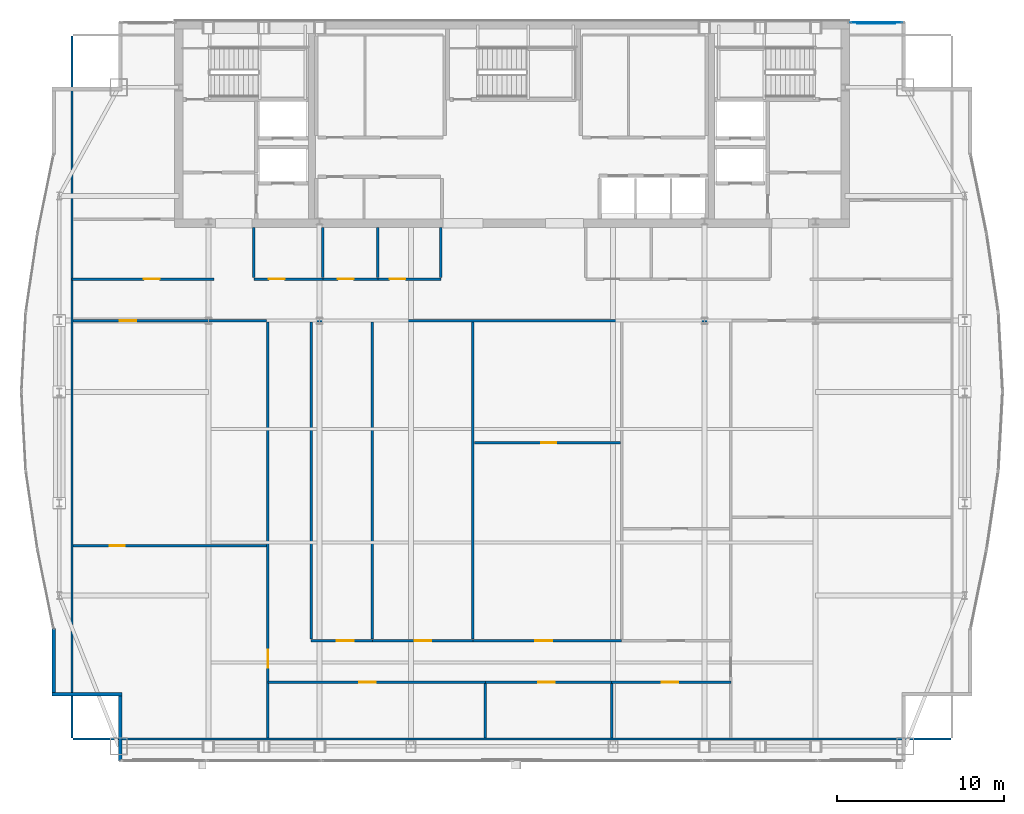
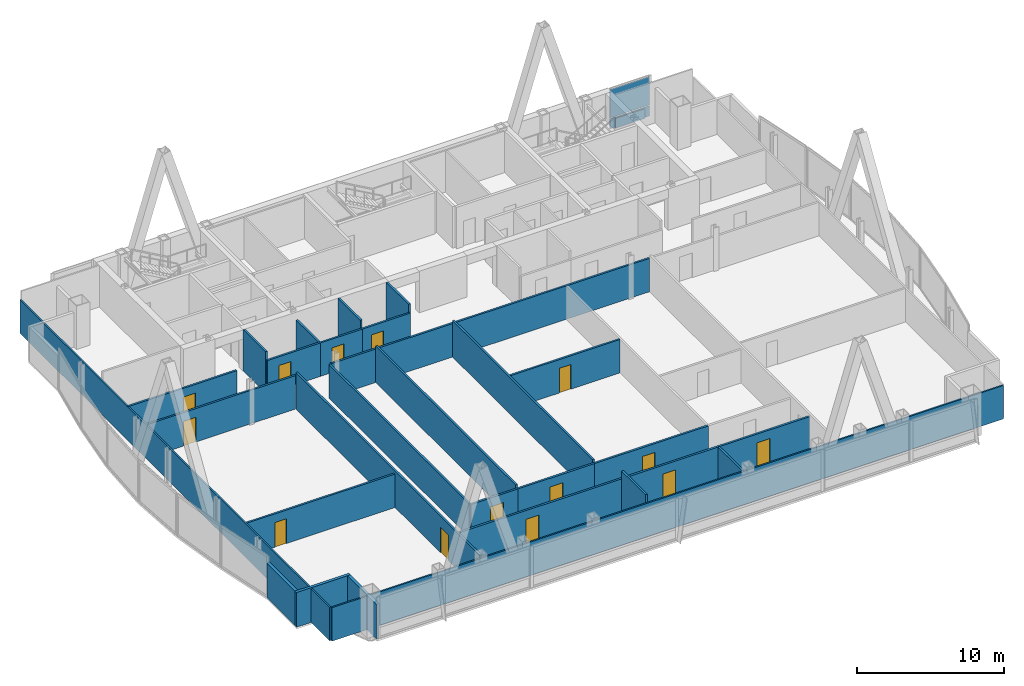
# One storey, part 26 of 31: 29 walls, 14 doors, 3 plates, 14 openings, 1 element without a shape of its own.
"""IFC4 building model written with IfcOpenShell, lengths in metres."""

from ifc_helpers import new_model, si_unit, direction, frame, frame_2d, origin, origin_2d, place, context, subcontext, project, spatial, rectangle, extrude, material, layer, layer_set, type_object, element, fill, aggregate, save


model = new_model("IFC4")

# Units and contexts
model_context = context("Model", 3, precision=1e-05, world=origin(), true_north=direction((0.0, 1.0)))
body_context = subcontext(model_context, "Body", "Model", "MODEL_VIEW")
ifc_project = project(units=[si_unit("LENGTHUNIT", "METRE"), si_unit("AREAUNIT", "SQUARE_METRE"), si_unit("VOLUMEUNIT", "CUBIC_METRE"), si_unit("PLANEANGLEUNIT", "RADIAN"), si_unit("MASSUNIT", "GRAM", prefix="KILO")], contexts=[model_context])

# Site, building, storey
site_placement = place(None, origin())
site = spatial("IfcSite", under=ifc_project, at=site_placement, CompositionType="ELEMENT")
building_placement = place(site_placement, origin())
building = spatial("IfcBuilding", under=site, at=building_placement, Name="Khoronbel Lancet Exchange", CompositionType="ELEMENT")
storey_placement = place(building_placement, frame((0.0, 0.0, 273.39990234375)))
storey = spatial("IfcBuildingStorey", under=building, at=storey_placement, Name="L70", CompositionType="ELEMENT", Elevation=273.39990234375)

# Curtain wall, plates
ifc_material_1 = material(Name="Low-E Solar Control Insulating Glass", Category="glass")
curtain_wall_type = type_object("IfcCurtainWallType", Name="CW-3", PredefinedType="NOTDEFINED", material=ifc_material_1)
curtain_wall_placement = place(storey_placement, origin())
curtain_wall = element("IfcCurtainWall", 1, at=curtain_wall_placement, inside=storey, type_object=curtain_wall_type, Name="Unitised curtain wall CW-L70-NEFLK", PredefinedType="NOTDEFINED")
ifc_material_2 = material(Name="Bronze-Anodised Aluminium 6063-T6", Category="aluminium")
ifc_layer_1 = layer(ifc_material_2, 0.050048828125, Name="Bronze-Anodised Aluminium 6063-T6")
ifc_layer_set_1 = layer_set([ifc_layer_1], Name="Bronze-Anodised Aluminium 6063-T6")
plate_type_1 = type_object("IfcPlateType", Name="PLT-CSP1", PredefinedType="SHEET", material=ifc_layer_set_1)
plate_1_placement = place(storey_placement, frame((58.320068359375, 53.550048828125, 0.05029296875), z_axis=(0.0, 0.0, 1.0), x_axis=(-1.0, 0.0, 0.0)))
plate_1 = element("IfcPlate", 2, at=plate_1_placement, type_object=plate_type_1, Name="Insulated bronze spandrel cassette CW-L70-NEFLK", PredefinedType="SHEET", context=body_context, shape_type="SweptSolid", body=[
    extrude(rectangle(XDim=2.2958984375, YDim=0.050048828125, at=origin_2d()), origin(), (0.0, 0.0, 1.0), 0.800048828125),
])
ifc_layer_2 = layer(ifc_material_1, 0.035888671875, Name="Low-E Solar Control Insulating Glass")
ifc_layer_set_2 = layer_set([ifc_layer_2], Name="Low-E Solar Control Insulating Glass")
plate_type_2 = type_object("IfcPlateType", Name="PLT-CWP1", PredefinedType="CURTAIN_PANEL", material=ifc_layer_set_2)
plate_2_placement = place(storey_placement, frame((58.320068359375, 53.610107421875, 0.0849609375), z_axis=(0.0, 0.0, 1.0), x_axis=(-1.0, 0.0, 0.0)))
plate_2 = element("IfcPlate", 3, at=plate_2_placement, type_object=plate_type_2, Name="CW3 panel 1.1", PredefinedType="CURTAIN_PANEL", context=body_context, shape_type="SweptSolid", body=[
    extrude(rectangle(XDim=3.110107421875, YDim=0.0380859375, at=origin_2d()), origin(), (0.0, 0.0, 1.0), 0.822509765625),
])
plate_3_placement = place(storey_placement, frame((58.320068359375, 53.610107421875, 0.99267578125), z_axis=(0.0, 0.0, 1.0), x_axis=(-1.0, 0.0, 0.0)))
plate_3 = element("IfcPlate", 4, at=plate_3_placement, type_object=plate_type_2, Name="CW3 panel 1.2", PredefinedType="CURTAIN_PANEL", context=body_context, shape_type="SweptSolid", body=[
    extrude(rectangle(XDim=3.110107421875, YDim=0.0380859375, at=origin_2d()), origin(), (0.0, 0.0, 1.0), 2.362548828125),
])
aggregate(curtain_wall, [plate_2, plate_3, plate_1])

# Walls
ifc_material_3 = material(Name="Precast concrete C40/50", Category="concrete")
ifc_layer_3 = layer(ifc_material_3, 0.25, Name="Precast concrete C40/50")
ifc_layer_set_3 = layer_set([ifc_layer_3], Name="Precast concrete C40/50")
wall_type_1 = type_object("IfcWallType", Name="WL-EXT250", PredefinedType="SOLIDWALL", material=ifc_layer_set_3)
wall_1_placement = place(storey_placement, frame((12.93994140625, 9.27001953125, 0.0), z_axis=(0.0, 0.0, 1.0), x_axis=(0.0, 1.0, 0.0)))
element("IfcWall", 5, at=wall_1_placement, inside=storey, type_object=wall_type_1, Name="Level L70 notched-corner limestone pier 01", PredefinedType="SOLIDWALL", context=body_context, shape_type="SweptSolid", body=[
    extrude(rectangle(XDim=3.909912109375, YDim=0.219970703125, at=frame_2d((1.955078125, 0.0))), origin(), (0.0, 0.0, 1.0), 2.880126953125),
])
wall_2_placement = place(storey_placement, frame((13.050048828125, 13.2900390625, 0.0), z_axis=(0.0, 0.0, 1.0), x_axis=(-1.0, 0.0, 0.0)))
element("IfcWall", 6, at=wall_2_placement, inside=storey, type_object=wall_type_1, Name="Level L70 notched-corner limestone pier 02", PredefinedType="SOLIDWALL", context=body_context, shape_type="SweptSolid", body=[
    extrude(rectangle(XDim=4.219970703125, YDim=0.219970703125, at=frame_2d((2.10986328125, 0.0))), origin(), (0.0, 0.0, 1.0), 2.880126953125),
])
wall_3_placement = place(storey_placement, frame((8.93994140625, 13.39990234375, 0.0), z_axis=(0.0, 0.0, 1.0), x_axis=(0.0, 1.0, 0.0)))
element("IfcWall", 7, at=wall_3_placement, inside=storey, type_object=wall_type_1, Name="Level L70 notched-corner limestone pier 03", PredefinedType="SOLIDWALL", context=body_context, shape_type="SweptSolid", body=[
    extrude(rectangle(XDim=3.8291015625, YDim=0.219970703125, at=frame_2d((1.91455078125, 0.0))), origin(), (0.0, 0.0, 1.0), 2.880126953125),
])
ifc_material_4 = material(Name="Acoustic Metal-Stud & Mineral-Wool Gypsum Partition 120 mm", Category="gypsum")
ifc_layer_4 = layer(ifc_material_4, 0.1201171875, Name="Acoustic Metal-Stud & Mineral-Wool Gypsum Partition 120 mm")
ifc_layer_set_4 = layer_set([ifc_layer_4], Name="Acoustic Metal-Stud & Mineral-Wool Gypsum Partition 120 mm")
wall_type_2 = type_object("IfcWallType", Name="WL-PRT120", PredefinedType="PARTITIONING", material=ifc_layer_set_4)
wall_4_placement = place(storey_placement, frame((20.949951171875, 38.280029296875, 0.0), z_axis=(0.0, 0.0, 1.0), x_axis=(0.0, 1.0, 0.0)))
element("IfcWall", 8, at=wall_4_placement, inside=storey, type_object=wall_type_2, Name="Level L70 interior partition PW-WC-0", PredefinedType="PARTITIONING", context=body_context, shape_type="SweptSolid", body=[
    extrude(rectangle(XDim=3.02001953125, YDim=0.14990234375, at=frame_2d((1.510009765625, 0.0))), origin(), (0.0, 0.0, 1.0), 3.440185546875),
])
wall_5_placement = place(storey_placement, frame((25.10009765625, 38.280029296875, 0.0), z_axis=(0.0, 0.0, 1.0), x_axis=(0.0, 1.0, 0.0)))
element("IfcWall", 9, at=wall_5_placement, inside=storey, type_object=wall_type_2, Name="Level L70 interior partition PW-WC-1", PredefinedType="PARTITIONING", context=body_context, shape_type="SweptSolid", body=[
    extrude(rectangle(XDim=3.02001953125, YDim=0.14990234375, at=frame_2d((1.510009765625, 0.0))), origin(), (0.0, 0.0, 1.0), 2.780029296875),
])
for number, where, z_axis, x_axis, name in (
    (10, (28.39990234375, 38.280029296875, 0.0), (0.0, 0.0, 1.0), (0.0, 1.0, 0.0), "Level L70 interior partition PW-WC-2"),
    (11, (32.179931640625, 38.280029296875, 0.0), (0.0, 0.0, 1.0), (0.0, 1.0, 0.0), "Level L70 interior partition PW-WC-3"),
):
    element("IfcWall", number, at=place(storey_placement, frame(where, z_axis=z_axis, x_axis=x_axis)), inside=storey, type_object=wall_type_2, Name=name, PredefinedType="PARTITIONING", context=body_context, shape_type="SweptSolid", body=[
        extrude(rectangle(XDim=3.02001953125, YDim=0.14990234375, at=frame_2d((1.510009765625, 0.0))), origin(), (0.0, 0.0, 1.0), 3.440185546875),
    ])

# Wall, opening, door
wall_6_placement = place(storey_placement, frame((10.094970703125, 22.199951171875, 0.0), z_axis=(0.0, 0.0, 1.0), x_axis=(1.0, 0.0, 0.0)))
wall_6 = element("IfcWall", 12, at=wall_6_placement, inside=storey, type_object=wall_type_2, Name="Level L70 interior partition PW-Z4-WH", PredefinedType="PARTITIONING", context=body_context, shape_type="SweptSolid", body=[
    extrude(rectangle(XDim=11.625, YDim=0.14990234375, at=frame_2d((5.8125, 0.0))), origin(), (0.0, 0.0, 1.0), 2.780029296875),
])
opening_1_placement = place(wall_6_placement, frame((2.199951171875, 0.0, 0.0)))
opening_1 = element("IfcOpeningElement", 13, at=opening_1_placement, cuts=wall_6, Name="Opening D5", PredefinedType="OPENING", context=body_context, shape_type="SweptSolid", body=[
    extrude(rectangle(XDim=0.89990234375, YDim=2.050048828125, at=frame_2d((0.449951171875, 1.02490234375))), frame((0.0, 0.0849609375, 0.0), z_axis=(0.0, -1.0, 0.0), x_axis=(1.0, 0.0, 0.0)), (0.0, 0.0, 1.0), 0.169921875),
])
ifc_material_5 = material(Name="Acoustic Timber Pantry & Support Door", Category="wood")
door_type_1 = type_object("IfcDoorType", Name="DR-D5", OperationType="NOTDEFINED", PredefinedType="DOOR", material=ifc_material_5)
door_1_placement = place(opening_1_placement, origin())
door_1 = element("IfcDoor", 14, at=door_1_placement, inside=storey, type_object=door_type_1, Name="West lens inner door L70-1", OperationType="SINGLE_SWING_LEFT", OverallHeight=2.050048828125, OverallWidth=0.89990234375, PredefinedType="DOOR", context=body_context, shape_type="SweptSolid", body=[
    extrude(rectangle(XDim=0.89990234375, YDim=2.050048828125, at=frame_2d((0.449951171875, 1.02490234375))), frame((0.0, 0.02490234375, 0.0), z_axis=(0.0, -1.0, 0.0), x_axis=(1.0, 0.0, 0.0)), (0.0, 0.0, 1.0), 0.050048828125),
])
fill(opening_1, door_1)

wall_7_placement = place(storey_placement, frame((34.187255859375, 28.371337890625, 0.0), z_axis=(0.0, 0.0, 1.0), x_axis=(1.0, 0.0, 0.0)))
wall_7 = element("IfcWall", 15, at=wall_7_placement, inside=storey, type_object=wall_type_2, Name="Level L70 interior partition PW-Z4C-H3", PredefinedType="PARTITIONING", context=body_context, shape_type="SweptSolid", body=[
    extrude(rectangle(XDim=8.76904296875, YDim=0.14990234375, at=frame_2d((4.384521484375, 0.0))), origin(), (0.0, 0.0, 1.0), 2.780029296875),
])
opening_2_placement = place(wall_7_placement, frame((4.01806640625, 0.0, 0.0)))
opening_2 = element("IfcOpeningElement", 16, at=opening_2_placement, cuts=wall_7, Name="Opening D5", PredefinedType="OPENING", context=body_context, shape_type="SweptSolid", body=[
    extrude(rectangle(XDim=0.89990234375, YDim=2.050048828125, at=frame_2d((0.449951171875, 1.02490234375))), frame((0.0, 0.0849609375, 0.0), z_axis=(0.0, -1.0, 0.0), x_axis=(1.0, 0.0, 0.0)), (0.0, 0.0, 1.0), 0.169921875),
])
door_2_placement = place(opening_2_placement, origin())
door_2 = element("IfcDoor", 17, at=door_2_placement, inside=storey, type_object=door_type_1, Name="Z4C inner door 3 L70-1", OperationType="SINGLE_SWING_RIGHT", OverallHeight=2.050048828125, OverallWidth=0.89990234375, PredefinedType="DOOR", context=body_context, shape_type="SweptSolid", body=[
    extrude(rectangle(XDim=0.89990234375, YDim=2.050048828125, at=frame_2d((0.449951171875, 1.02490234375))), frame((0.0, 0.02490234375, 0.0), z_axis=(0.0, -1.0, 0.0), x_axis=(1.0, 0.0, 0.0)), (0.0, 0.0, 1.0), 0.050048828125),
])
fill(opening_2, door_2)

# Walls
wall_8_placement = place(storey_placement, frame((10.030029296875, 10.6650390625, 0.0), z_axis=(0.0, 0.0, 1.0), x_axis=(0.0, 1.0, 0.0)))
element("IfcWall", 18, at=wall_8_placement, inside=storey, type_object=wall_type_2, Name="Level L70 interior partition PW-LIN-W", PredefinedType="PARTITIONING", context=body_context, shape_type="SweptSolid", body=[
    extrude(rectangle(XDim=42.10986328125, YDim=0.1201171875, at=frame_2d((21.054931640625, 0.0))), origin(), (0.0, 0.0, 1.0), 2.780029296875),
])
wall_9_placement = place(storey_placement, frame((10.094970703125, 10.60009765625, 0.0), z_axis=(0.0, 0.0, 1.0), x_axis=(1.0, 0.0, 0.0)))
element("IfcWall", 19, at=wall_9_placement, inside=storey, type_object=wall_type_2, Name="Level L70 interior partition PW-LIN-S", PredefinedType="PARTITIONING", context=body_context, shape_type="SweptSolid", body=[
    extrude(rectangle(XDim=52.7099609375, YDim=0.1201171875, at=frame_2d((26.35498046875, 0.0))), origin(), (0.0, 0.0, 1.0), 2.780029296875),
])

# Wall, opening, door
ifc_material_6 = material(Name="Fire-Rated Twin-Stud Acoustic Gypsum Partition 150 mm", Category="gypsum")
ifc_layer_5 = layer(ifc_material_6, 0.14990234375, Name="Fire-Rated Twin-Stud Acoustic Gypsum Partition 150 mm")
ifc_layer_set_5 = layer_set([ifc_layer_5], Name="Fire-Rated Twin-Stud Acoustic Gypsum Partition 150 mm")
wall_type_3 = type_object("IfcWallType", Name="WL-PRT150C", PredefinedType="PARTITIONING", material=ifc_layer_set_5)
wall_10_placement = place(storey_placement, frame((20.949951171875, 38.199951171875, 0.0), z_axis=(0.0, 0.0, 1.0), x_axis=(1.0, 0.0, 0.0)))
wall_10 = element("IfcWall", 20, at=wall_10_placement, inside=storey, type_object=wall_type_3, Name="Level L70 interior partition PW-WC-S1", PredefinedType="PARTITIONING", context=body_context, shape_type="SweptSolid", body=[
    extrude(rectangle(XDim=4.150146484375, YDim=0.14990234375, at=frame_2d((2.0751953125, 0.0))), origin(), (0.0, 0.0, 1.0), 2.780029296875),
])
opening_3_placement = place(wall_10_placement, frame((0.89990234375, 0.0, 0.0)))
opening_3 = element("IfcOpeningElement", 21, at=opening_3_placement, cuts=wall_10, Name="Opening D4", PredefinedType="OPENING", context=body_context, shape_type="SweptSolid", body=[
    extrude(rectangle(XDim=0.949951171875, YDim=2.050048828125, at=frame_2d((0.47509765625, 1.02490234375))), frame((0.0, 0.0849609375, 0.0), z_axis=(0.0, -1.0, 0.0), x_axis=(1.0, 0.0, 0.0)), (0.0, 0.0, 1.0), 0.169921875),
])
ifc_material_7 = material(Name="Moisture-Resistant HPL Washroom Door", Category="wood")
door_type_2 = type_object("IfcDoorType", Name="DR-D4", OperationType="NOTDEFINED", PredefinedType="DOOR", material=ifc_material_7)
door_3_placement = place(opening_3_placement, origin())
door_3 = element("IfcDoor", 22, at=door_3_placement, inside=storey, type_object=door_type_2, Name="Male washroom door L70-1", OperationType="SINGLE_SWING_RIGHT", OverallHeight=2.050048828125, OverallWidth=0.949951171875, PredefinedType="DOOR", context=body_context, shape_type="SweptSolid", body=[
    extrude(rectangle(XDim=0.949951171875, YDim=2.050048828125, at=frame_2d((0.47509765625, 1.02490234375))), frame((0.0, 0.02490234375, 0.0), z_axis=(0.0, -1.0, 0.0), x_axis=(1.0, 0.0, 0.0)), (0.0, 0.0, 1.0), 0.050048828125),
])
fill(opening_3, door_3)

wall_11_placement = place(storey_placement, frame((25.10009765625, 38.199951171875, 0.0), z_axis=(0.0, 0.0, 1.0), x_axis=(1.0, 0.0, 0.0)))
wall_11 = element("IfcWall", 23, at=wall_11_placement, inside=storey, type_object=wall_type_3, Name="Level L70 interior partition PW-WC-S2", PredefinedType="PARTITIONING", context=body_context, shape_type="SweptSolid", body=[
    extrude(rectangle(XDim=3.2998046875, YDim=0.14990234375, at=frame_2d((1.64990234375, 0.0))), origin(), (0.0, 0.0, 1.0), 2.780029296875),
])
opening_4_placement = place(wall_11_placement, frame((0.89990234375, 0.0, 0.0)))
opening_4 = element("IfcOpeningElement", 24, at=opening_4_placement, cuts=wall_11, Name="Opening D4", PredefinedType="OPENING", context=body_context, shape_type="SweptSolid", body=[
    extrude(rectangle(XDim=0.949951171875, YDim=2.050048828125, at=frame_2d((0.47509765625, 1.02490234375))), frame((0.0, 0.0849609375, 0.0), z_axis=(0.0, -1.0, 0.0), x_axis=(1.0, 0.0, 0.0)), (0.0, 0.0, 1.0), 0.169921875),
])
door_4_placement = place(opening_4_placement, origin())
door_4 = element("IfcDoor", 25, at=door_4_placement, inside=storey, type_object=door_type_2, Name="Female washroom door L70-1", OperationType="SINGLE_SWING_LEFT", OverallHeight=2.050048828125, OverallWidth=0.949951171875, PredefinedType="DOOR", context=body_context, shape_type="SweptSolid", body=[
    extrude(rectangle(XDim=0.949951171875, YDim=2.050048828125, at=frame_2d((0.47509765625, 1.02490234375))), frame((0.0, 0.02490234375, 0.0), z_axis=(0.0, -1.0, 0.0), x_axis=(1.0, 0.0, 0.0)), (0.0, 0.0, 1.0), 0.050048828125),
])
fill(opening_4, door_4)

wall_12_placement = place(storey_placement, frame((28.39990234375, 38.199951171875, 0.0), z_axis=(0.0, 0.0, 1.0), x_axis=(1.0, 0.0, 0.0)))
wall_12 = element("IfcWall", 26, at=wall_12_placement, inside=storey, type_object=wall_type_3, Name="Level L70 interior partition PW-WC-S3", PredefinedType="PARTITIONING", context=body_context, shape_type="SweptSolid", body=[
    extrude(rectangle(XDim=3.780029296875, YDim=0.14990234375, at=frame_2d((1.89013671875, 0.0))), origin(), (0.0, 0.0, 1.0), 2.780029296875),
])
opening_5_placement = place(wall_12_placement, frame((0.699951171875, 0.0, 0.0)))
opening_5 = element("IfcOpeningElement", 27, at=opening_5_placement, cuts=wall_12, Name="Opening D4", PredefinedType="OPENING", context=body_context, shape_type="SweptSolid", body=[
    extrude(rectangle(XDim=0.949951171875, YDim=2.050048828125, at=frame_2d((0.47509765625, 1.02490234375))), frame((0.0, 0.0849609375, 0.0), z_axis=(0.0, -1.0, 0.0), x_axis=(1.0, 0.0, 0.0)), (0.0, 0.0, 1.0), 0.169921875),
])
door_5_placement = place(opening_5_placement, origin())
door_5 = element("IfcDoor", 28, at=door_5_placement, inside=storey, type_object=door_type_2, Name="Accessible WC door L70-1", OperationType="SINGLE_SWING_RIGHT", OverallHeight=2.050048828125, OverallWidth=0.949951171875, PredefinedType="DOOR", context=body_context, shape_type="SweptSolid", body=[
    extrude(rectangle(XDim=0.949951171875, YDim=2.050048828125, at=frame_2d((0.47509765625, 1.02490234375))), frame((0.0, 0.02490234375, 0.0), z_axis=(0.0, -1.0, 0.0), x_axis=(1.0, 0.0, 0.0)), (0.0, 0.0, 1.0), 0.050048828125),
])
fill(opening_5, door_5)

wall_13_placement = place(storey_placement, frame((10.030029296875, 38.199951171875, 0.0), z_axis=(0.0, 0.0, 1.0), x_axis=(1.0, 0.0, 0.0)))
wall_13 = element("IfcWall", 29, at=wall_13_placement, inside=storey, type_object=wall_type_3, Name="Level L70 interior partition PW-NW-S", PredefinedType="PARTITIONING", context=body_context, shape_type="SweptSolid", body=[
    extrude(rectangle(XDim=8.52001953125, YDim=0.14990234375, at=frame_2d((4.260009765625, 0.0))), origin(), (0.0, 0.0, 1.0), 2.780029296875),
])
opening_6_placement = place(wall_13_placement, frame((4.320068359375, 0.0, 0.0)))
opening_6 = element("IfcOpeningElement", 30, at=opening_6_placement, cuts=wall_13, Name="Opening D1", PredefinedType="OPENING", context=body_context, shape_type="SweptSolid", body=[
    extrude(rectangle(XDim=0.949951171875, YDim=2.050048828125, at=frame_2d((0.47509765625, 1.02490234375))), frame((0.0, 0.0849609375, 0.0), z_axis=(0.0, -1.0, 0.0), x_axis=(1.0, 0.0, 0.0)), (0.0, 0.0, 1.0), 0.169921875),
])
ifc_material_8 = material(Name="Acoustic Veneered Timber & Bronze Frame Door", Category="wood")
door_type_3 = type_object("IfcDoorType", Name="DR-D1", OperationType="NOTDEFINED", PredefinedType="DOOR", material=ifc_material_8)
door_6_placement = place(opening_6_placement, origin())
door_6 = element("IfcDoor", 31, at=door_6_placement, inside=storey, type_object=door_type_3, Name="NW corner room door L70-1", OperationType="SINGLE_SWING_LEFT", OverallHeight=2.050048828125, OverallWidth=0.949951171875, PredefinedType="DOOR", context=body_context, shape_type="SweptSolid", body=[
    extrude(rectangle(XDim=0.949951171875, YDim=2.050048828125, at=frame_2d((0.47509765625, 1.02490234375))), frame((0.0, 0.02490234375, 0.0), z_axis=(0.0, -1.0, 0.0), x_axis=(1.0, 0.0, 0.0)), (0.0, 0.0, 1.0), 0.050048828125),
])
fill(opening_6, door_6)

wall_14_placement = place(storey_placement, frame((21.800048828125, 10.6650390625, 0.0), z_axis=(0.0, 0.0, 1.0), x_axis=(0.0, 1.0, 0.0)))
wall_14 = element("IfcWall", 32, at=wall_14_placement, inside=storey, type_object=wall_type_3, Name="Level L70 interior partition PW-Z4-WW", PredefinedType="PARTITIONING", context=body_context, shape_type="SweptSolid", body=[
    extrude(rectangle(XDim=24.955078125, YDim=0.14990234375, at=frame_2d((12.4775390625, 0.0))), origin(), (0.0, 0.0, 1.0), 3.030029296875),
])
opening_7_placement = place(wall_14_placement, frame((4.199951171875, 0.0, 0.0)))
opening_7 = element("IfcOpeningElement", 33, at=opening_7_placement, cuts=wall_14, Name="Opening D6", PredefinedType="OPENING", context=body_context, shape_type="SweptSolid", body=[
    extrude(rectangle(XDim=1.10009765625, YDim=2.10009765625, at=frame_2d((0.550048828125, 1.050048828125))), frame((0.0, 0.0849609375, 0.0), z_axis=(0.0, -1.0, 0.0), x_axis=(1.0, 0.0, 0.0)), (0.0, 0.0, 1.0), 0.169921875),
])
ifc_material_9 = material(Name="Acoustic Bronze-Veneer Executive Suite Door", Category="wood")
door_type_4 = type_object("IfcDoorType", Name="DR-D6", OperationType="NOTDEFINED", PredefinedType="DOOR", material=ifc_material_9)
door_7_placement = place(opening_7_placement, origin())
door_7 = element("IfcDoor", 34, at=door_7_placement, inside=storey, type_object=door_type_4, Name="West lens presidential door L70-1", OperationType="SINGLE_SWING_LEFT", OverallHeight=2.10009765625, OverallWidth=1.10009765625, PredefinedType="DOOR", context=body_context, shape_type="SweptSolid", body=[
    extrude(rectangle(XDim=1.10009765625, YDim=2.10009765625, at=frame_2d((0.550048828125, 1.050048828125))), frame((0.0, 0.02490234375, 0.0), z_axis=(0.0, -1.0, 0.0), x_axis=(1.0, 0.0, 0.0)), (0.0, 0.0, 1.0), 0.050048828125),
])
fill(opening_7, door_7)

wall_15_placement = place(storey_placement, frame((10.094970703125, 35.699951171875, 0.0), z_axis=(0.0, 0.0, 1.0), x_axis=(1.0, 0.0, 0.0)))
wall_15 = element("IfcWall", 35, at=wall_15_placement, inside=storey, type_object=wall_type_3, Name="Level L70 interior partition PW-Z4-WN", PredefinedType="PARTITIONING", context=body_context, shape_type="SweptSolid", body=[
    extrude(rectangle(XDim=11.625, YDim=0.14990234375, at=frame_2d((5.8125, 0.0))), origin(), (0.0, 0.0, 1.0), 2.780029296875),
])
opening_8_placement = place(wall_15_placement, frame((2.800048828125, 0.0, 0.0)))
opening_8 = element("IfcOpeningElement", 36, at=opening_8_placement, cuts=wall_15, Name="Opening D2", PredefinedType="OPENING", context=body_context, shape_type="SweptSolid", body=[
    extrude(rectangle(XDim=1.0, YDim=2.050048828125, at=frame_2d((0.5, 1.02490234375))), frame((0.0, 0.0849609375, 0.0), z_axis=(0.0, -1.0, 0.0), x_axis=(1.0, 0.0, 0.0)), (0.0, 0.0, 1.0), 0.169921875),
])
door_type_5 = type_object("IfcDoorType", Name="DR-D2", OperationType="NOTDEFINED", PredefinedType="DOOR", material=ifc_material_8)
door_8_placement = place(opening_8_placement, origin())
door_8 = element("IfcDoor", 37, at=door_8_placement, inside=storey, type_object=door_type_5, Name="West lens north door L70-1", OperationType="SINGLE_SWING_RIGHT", OverallHeight=2.050048828125, OverallWidth=1.0, PredefinedType="DOOR", context=body_context, shape_type="SweptSolid", body=[
    extrude(rectangle(XDim=1.0, YDim=2.050048828125, at=frame_2d((0.5, 1.02490234375))), frame((0.0, 0.02490234375, 0.0), z_axis=(0.0, -1.0, 0.0), x_axis=(1.0, 0.0, 0.0)), (0.0, 0.0, 1.0), 0.050048828125),
])
fill(opening_8, door_8)

# Walls
wall_16_placement = place(storey_placement, frame((24.39990234375, 16.5849609375, 0.0), z_axis=(0.0, 0.0, 1.0), x_axis=(0.0, 1.0, 0.0)))
element("IfcWall", 38, at=wall_16_placement, inside=storey, type_object=wall_type_3, Name="Level L70 interior partition PW-Z4-WE", PredefinedType="PARTITIONING", context=body_context, shape_type="SweptSolid", body=[
    extrude(rectangle(XDim=19.03515625, YDim=0.14990234375, at=frame_2d((9.517578125, 0.0))), origin(), (0.0, 0.0, 1.0), 2.780029296875),
])
wall_17_placement = place(storey_placement, frame((24.47998046875, 35.699951171875, 0.0), z_axis=(0.0, 0.0, 1.0), x_axis=(1.0, 0.0, 0.0)))
element("IfcWall", 39, at=wall_17_placement, inside=storey, type_object=wall_type_3, Name="Level L70 interior partition PW-Z4-EN1", PredefinedType="PARTITIONING", context=body_context, shape_type="SweptSolid", body=[
    extrude(rectangle(XDim=25.02001953125, YDim=0.14990234375, at=frame_2d((12.510009765625, 0.0))), origin(), (0.0, 0.0, 1.0), 2.780029296875),
])
for number, where, z_axis, x_axis, name in (
    (40, (28.07373046875, 16.5849609375, 0.0), (0.0, 0.0, 1.0), (0.0, 1.0, 0.0), "Level L70 interior partition PW-Z4C-V1"),
    (41, (34.107177734375, 16.5849609375, 0.0), (0.0, 0.0, 1.0), (0.0, 1.0, 0.0), "Level L70 interior partition PW-Z4C-V2"),
):
    element("IfcWall", number, at=place(storey_placement, frame(where, z_axis=z_axis, x_axis=x_axis)), inside=storey, type_object=wall_type_3, Name=name, PredefinedType="PARTITIONING", context=body_context, shape_type="SweptSolid", body=[
        extrude(rectangle(XDim=19.03515625, YDim=0.14990234375, at=frame_2d((9.517578125, 0.0))), origin(), (0.0, 0.0, 1.0), 3.030029296875),
    ])
wall_18_placement = place(storey_placement, frame((34.84814453125, 10.6650390625, 0.0), z_axis=(0.0, 0.0, 1.0), x_axis=(0.0, 1.0, 0.0)))
element("IfcWall", 42, at=wall_18_placement, inside=storey, type_object=wall_type_3, Name="Level L70 interior partition PW-Z4S-V1", PredefinedType="PARTITIONING", context=body_context, shape_type="SweptSolid", body=[
    extrude(rectangle(XDim=3.25, YDim=0.14990234375, at=frame_2d((1.625, 0.0))), origin(), (0.0, 0.0, 1.0), 3.440185546875),
])
wall_19_placement = place(storey_placement, frame((42.424560546875, 10.6650390625, 0.0), z_axis=(0.0, 0.0, 1.0), x_axis=(0.0, 1.0, 0.0)))
element("IfcWall", 43, at=wall_19_placement, inside=storey, type_object=wall_type_3, Name="Level L70 interior partition PW-Z4S-V2", PredefinedType="PARTITIONING", context=body_context, shape_type="SweptSolid", body=[
    extrude(rectangle(XDim=3.25, YDim=0.14990234375, at=frame_2d((1.625, 0.0))), origin(), (0.0, 0.0, 1.0), 2.780029296875),
])

# Wall, opening, door
ifc_material_10 = material(Name="Fire-Rated Twin-Stud Acoustic Gypsum Partition 160 mm", Category="gypsum")
ifc_layer_6 = layer(ifc_material_10, 0.159912109375, Name="Fire-Rated Twin-Stud Acoustic Gypsum Partition 160 mm")
ifc_layer_set_6 = layer_set([ifc_layer_6], Name="Fire-Rated Twin-Stud Acoustic Gypsum Partition 160 mm")
wall_type_4 = type_object("IfcWallType", Name="WL-PRT160C", PredefinedType="PARTITIONING", material=ifc_layer_set_6)
wall_20_placement = place(storey_placement, frame((24.39990234375, 16.5, 0.0), z_axis=(0.0, 0.0, 1.0), x_axis=(1.0, 0.0, 0.0)))
wall_20 = element("IfcWall", 44, at=wall_20_placement, inside=storey, type_object=wall_type_4, Name="Level L70 interior partition PW-Z4C-COR1", PredefinedType="PARTITIONING", context=body_context, shape_type="SweptSolid", body=[
    extrude(rectangle(XDim=3.673828125, YDim=0.159912109375, at=frame_2d((1.8369140625, 0.0))), origin(), (0.0, 0.0, 1.0), 2.780029296875),
])
opening_9_placement = place(wall_20_placement, frame((1.54296875, 0.0, 0.0)))
opening_9 = element("IfcOpeningElement", 45, at=opening_9_placement, cuts=wall_20, Name="Opening D2", PredefinedType="OPENING", context=body_context, shape_type="SweptSolid", body=[
    extrude(rectangle(XDim=1.0, YDim=2.050048828125, at=frame_2d((0.5, 1.02490234375))), frame((0.0, 0.08984375, 0.0), z_axis=(0.0, -1.0, 0.0), x_axis=(1.0, 0.0, 0.0)), (0.0, 0.0, 1.0), 0.179931640625),
])
door_9_placement = place(opening_9_placement, origin())
door_9 = element("IfcDoor", 46, at=door_9_placement, inside=storey, type_object=door_type_5, Name="Z4C bay 1 door L70-1", OperationType="SINGLE_SWING_LEFT", OverallHeight=2.050048828125, OverallWidth=1.0, PredefinedType="DOOR", context=body_context, shape_type="SweptSolid", body=[
    extrude(rectangle(XDim=1.0, YDim=2.050048828125, at=frame_2d((0.5, 1.02490234375))), frame((0.0, 0.02490234375, 0.0), z_axis=(0.0, -1.0, 0.0), x_axis=(1.0, 0.0, 0.0)), (0.0, 0.0, 1.0), 0.050048828125),
])
fill(opening_9, door_9)

wall_21_placement = place(storey_placement, frame((28.07373046875, 16.5, 0.0), z_axis=(0.0, 0.0, 1.0), x_axis=(1.0, 0.0, 0.0)))
wall_21 = element("IfcWall", 47, at=wall_21_placement, inside=storey, type_object=wall_type_4, Name="Level L70 interior partition PW-Z4C-COR2", PredefinedType="PARTITIONING", context=body_context, shape_type="SweptSolid", body=[
    extrude(rectangle(XDim=6.033447265625, YDim=0.159912109375, at=frame_2d((3.0166015625, 0.0))), origin(), (0.0, 0.0, 1.0), 2.780029296875),
])
opening_10_placement = place(wall_21_placement, frame((2.5341796875, 0.0, 0.0)))
opening_10 = element("IfcOpeningElement", 48, at=opening_10_placement, cuts=wall_21, Name="Opening D2", PredefinedType="OPENING", context=body_context, shape_type="SweptSolid", body=[
    extrude(rectangle(XDim=1.0, YDim=2.050048828125, at=frame_2d((0.5, 1.02490234375))), frame((0.0, 0.08984375, 0.0), z_axis=(0.0, -1.0, 0.0), x_axis=(1.0, 0.0, 0.0)), (0.0, 0.0, 1.0), 0.179931640625),
])
door_10_placement = place(opening_10_placement, origin())
door_10 = element("IfcDoor", 49, at=door_10_placement, inside=storey, type_object=door_type_5, Name="Z4C bay 2 door L70-1", OperationType="SINGLE_SWING_RIGHT", OverallHeight=2.050048828125, OverallWidth=1.0, PredefinedType="DOOR", context=body_context, shape_type="SweptSolid", body=[
    extrude(rectangle(XDim=1.0, YDim=2.050048828125, at=frame_2d((0.5, 1.02490234375))), frame((0.0, 0.02490234375, 0.0), z_axis=(0.0, -1.0, 0.0), x_axis=(1.0, 0.0, 0.0)), (0.0, 0.0, 1.0), 0.050048828125),
])
fill(opening_10, door_10)

wall_22_placement = place(storey_placement, frame((34.107177734375, 16.5, 0.0), z_axis=(0.0, 0.0, 1.0), x_axis=(1.0, 0.0, 0.0)))
wall_22 = element("IfcWall", 50, at=wall_22_placement, inside=storey, type_object=wall_type_4, Name="Level L70 interior partition PW-Z4C-COR3", PredefinedType="PARTITIONING", context=body_context, shape_type="SweptSolid", body=[
    extrude(rectangle(XDim=8.92919921875, YDim=0.159912109375, at=frame_2d((4.464599609375, 0.0))), origin(), (0.0, 0.0, 1.0), 2.780029296875),
])
opening_11_placement = place(wall_22_placement, frame((3.750244140625, 0.0, 0.0)))
opening_11 = element("IfcOpeningElement", 51, at=opening_11_placement, cuts=wall_22, Name="Opening D2", PredefinedType="OPENING", context=body_context, shape_type="SweptSolid", body=[
    extrude(rectangle(XDim=1.0, YDim=2.050048828125, at=frame_2d((0.5, 1.02490234375))), frame((0.0, 0.08984375, 0.0), z_axis=(0.0, -1.0, 0.0), x_axis=(1.0, 0.0, 0.0)), (0.0, 0.0, 1.0), 0.179931640625),
])
door_11_placement = place(opening_11_placement, origin())
door_11 = element("IfcDoor", 52, at=door_11_placement, inside=storey, type_object=door_type_5, Name="Z4C bay 3 door L70-1", OperationType="SINGLE_SWING_LEFT", OverallHeight=2.050048828125, OverallWidth=1.0, PredefinedType="DOOR", context=body_context, shape_type="SweptSolid", body=[
    extrude(rectangle(XDim=1.0, YDim=2.050048828125, at=frame_2d((0.5, 1.02490234375))), frame((0.0, 0.02490234375, 0.0), z_axis=(0.0, -1.0, 0.0), x_axis=(1.0, 0.0, 0.0)), (0.0, 0.0, 1.0), 0.050048828125),
])
fill(opening_11, door_11)

wall_23_placement = place(storey_placement, frame((21.800048828125, 14.0, 0.0), z_axis=(0.0, 0.0, 1.0), x_axis=(1.0, 0.0, 0.0)))
wall_23 = element("IfcWall", 53, at=wall_23_placement, inside=storey, type_object=wall_type_4, Name="Level L70 interior partition PW-Z4S-COR1", PredefinedType="PARTITIONING", context=body_context, shape_type="SweptSolid", body=[
    extrude(rectangle(XDim=13.048095703125, YDim=0.159912109375, at=frame_2d((6.52392578125, 0.0))), origin(), (0.0, 0.0, 1.0), 2.780029296875),
])
opening_12_placement = place(wall_23_placement, frame((5.480224609375, 0.0, 0.0)))
opening_12 = element("IfcOpeningElement", 54, at=opening_12_placement, cuts=wall_23, Name="Opening D2", PredefinedType="OPENING", context=body_context, shape_type="SweptSolid", body=[
    extrude(rectangle(XDim=1.0, YDim=2.050048828125, at=frame_2d((0.5, 1.02490234375))), frame((0.0, 0.08984375, 0.0), z_axis=(0.0, -1.0, 0.0), x_axis=(1.0, 0.0, 0.0)), (0.0, 0.0, 1.0), 0.179931640625),
])
door_12_placement = place(opening_12_placement, origin())
door_12 = element("IfcDoor", 55, at=door_12_placement, inside=storey, type_object=door_type_5, Name="Z4S bay 1 door L70-1", OperationType="SINGLE_SWING_LEFT", OverallHeight=2.050048828125, OverallWidth=1.0, PredefinedType="DOOR", context=body_context, shape_type="SweptSolid", body=[
    extrude(rectangle(XDim=1.0, YDim=2.050048828125, at=frame_2d((0.5, 1.02490234375))), frame((0.0, 0.02490234375, 0.0), z_axis=(0.0, -1.0, 0.0), x_axis=(1.0, 0.0, 0.0)), (0.0, 0.0, 1.0), 0.050048828125),
])
fill(opening_12, door_12)

wall_24_placement = place(storey_placement, frame((34.84814453125, 14.0, 0.0), z_axis=(0.0, 0.0, 1.0), x_axis=(1.0, 0.0, 0.0)))
wall_24 = element("IfcWall", 56, at=wall_24_placement, inside=storey, type_object=wall_type_4, Name="Level L70 interior partition PW-Z4S-COR2", PredefinedType="PARTITIONING", context=body_context, shape_type="SweptSolid", body=[
    extrude(rectangle(XDim=7.576416015625, YDim=0.159912109375, at=frame_2d((3.7880859375, 0.0))), origin(), (0.0, 0.0, 1.0), 2.780029296875),
])
opening_13_placement = place(wall_24_placement, frame((3.181884765625, 0.0, 0.0)))
opening_13 = element("IfcOpeningElement", 57, at=opening_13_placement, cuts=wall_24, Name="Opening D2", PredefinedType="OPENING", context=body_context, shape_type="SweptSolid", body=[
    extrude(rectangle(XDim=1.0, YDim=2.050048828125, at=frame_2d((0.5, 1.02490234375))), frame((0.0, 0.08984375, 0.0), z_axis=(0.0, -1.0, 0.0), x_axis=(1.0, 0.0, 0.0)), (0.0, 0.0, 1.0), 0.179931640625),
])
door_13_placement = place(opening_13_placement, origin())
door_13 = element("IfcDoor", 58, at=door_13_placement, inside=storey, type_object=door_type_5, Name="Z4S bay 2 door L70-1", OperationType="SINGLE_SWING_RIGHT", OverallHeight=2.050048828125, OverallWidth=1.0, PredefinedType="DOOR", context=body_context, shape_type="SweptSolid", body=[
    extrude(rectangle(XDim=1.0, YDim=2.050048828125, at=frame_2d((0.5, 1.02490234375))), frame((0.0, 0.02490234375, 0.0), z_axis=(0.0, -1.0, 0.0), x_axis=(1.0, 0.0, 0.0)), (0.0, 0.0, 1.0), 0.050048828125),
])
fill(opening_13, door_13)

wall_25_placement = place(storey_placement, frame((42.424560546875, 14.0, 0.0), z_axis=(0.0, 0.0, 1.0), x_axis=(1.0, 0.0, 0.0)))
wall_25 = element("IfcWall", 59, at=wall_25_placement, inside=storey, type_object=wall_type_4, Name="Level L70 interior partition PW-Z4S-COR3", PredefinedType="PARTITIONING", context=body_context, shape_type="SweptSolid", body=[
    extrude(rectangle(XDim=7.155517578125, YDim=0.159912109375, at=frame_2d((3.57763671875, 0.0))), origin(), (0.0, 0.0, 1.0), 2.780029296875),
])
opening_14_placement = place(wall_25_placement, frame((3.00537109375, 0.0, 0.0)))
opening_14 = element("IfcOpeningElement", 60, at=opening_14_placement, cuts=wall_25, Name="Opening D2", PredefinedType="OPENING", context=body_context, shape_type="SweptSolid", body=[
    extrude(rectangle(XDim=1.0, YDim=2.050048828125, at=frame_2d((0.5, 1.02490234375))), frame((0.0, 0.08984375, 0.0), z_axis=(0.0, -1.0, 0.0), x_axis=(1.0, 0.0, 0.0)), (0.0, 0.0, 1.0), 0.179931640625),
])
door_14_placement = place(opening_14_placement, origin())
door_14 = element("IfcDoor", 61, at=door_14_placement, inside=storey, type_object=door_type_5, Name="Z4S bay 3 door L70-1", OperationType="SINGLE_SWING_LEFT", OverallHeight=2.050048828125, OverallWidth=1.0, PredefinedType="DOOR", context=body_context, shape_type="SweptSolid", body=[
    extrude(rectangle(XDim=1.0, YDim=2.050048828125, at=frame_2d((0.5, 1.02490234375))), frame((0.0, 0.02490234375, 0.0), z_axis=(0.0, -1.0, 0.0), x_axis=(1.0, 0.0, 0.0)), (0.0, 0.0, 1.0), 0.050048828125),
])
fill(opening_14, door_14)

save(model, "model.ifc")
